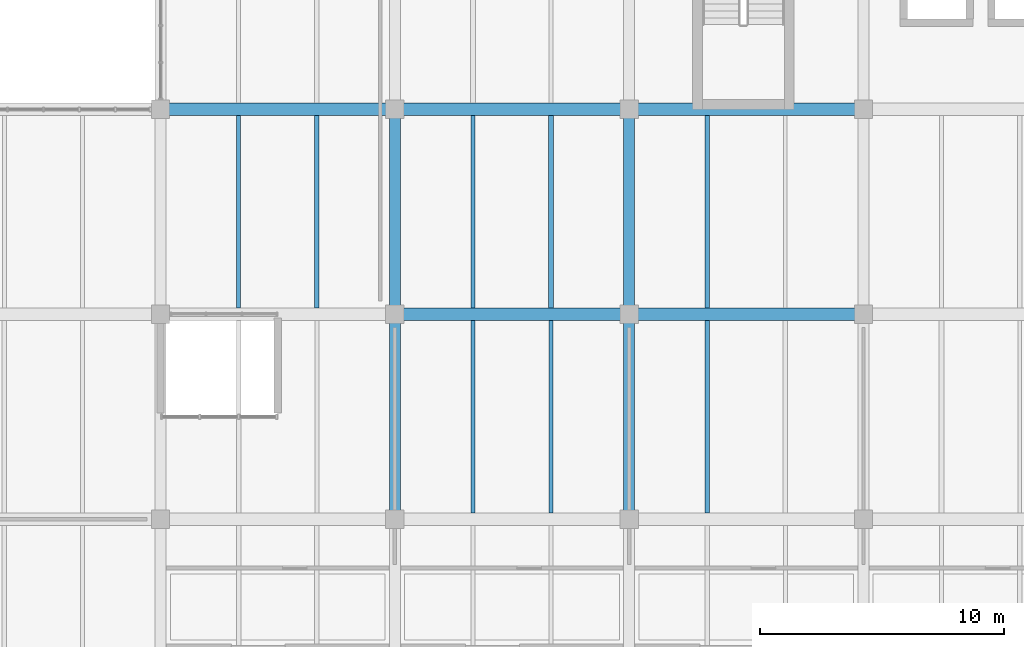
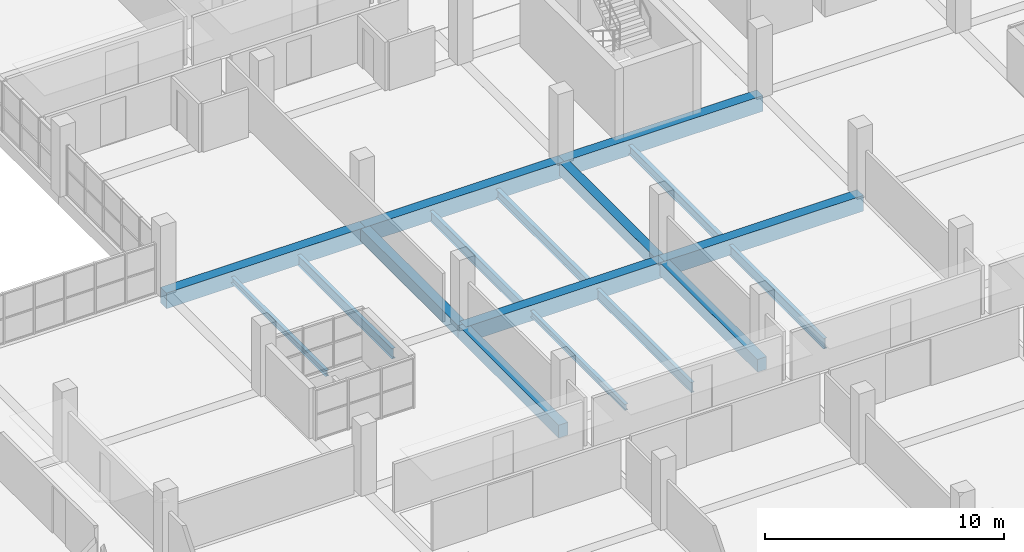
# One storey, part 77 of 147: 17 beams.
"""IFC4 building model written with IfcOpenShell, lengths in metres."""

from ifc_helpers import new_model, si_unit, direction, frame, origin, origin_2d, place, context, subcontext, project, spatial, rectangle, i_section, extrude, material, material_profile, profile_set, type_object, element, save


model = new_model("IFC4")

# Units and contexts
model_context = context("Model", 3, precision=1e-05, world=origin(), true_north=direction((0.0, 1.0)))
body_context = subcontext(model_context, "Body", "Model", "MODEL_VIEW")
ifc_project = project(units=[si_unit("LENGTHUNIT", "METRE"), si_unit("AREAUNIT", "SQUARE_METRE"), si_unit("VOLUMEUNIT", "CUBIC_METRE"), si_unit("PLANEANGLEUNIT", "RADIAN"), si_unit("MASSUNIT", "GRAM", prefix="KILO")], contexts=[model_context])

# Site, building, storey
site_placement = place(None, origin())
site = spatial("IfcSite", under=ifc_project, at=site_placement, CompositionType="ELEMENT")
building_placement = place(site_placement, origin())
building = spatial("IfcBuilding", under=site, at=building_placement, Name="Oolite Switchyard Hospital", CompositionType="ELEMENT")
storey_placement = place(building_placement, frame((0.0, 0.0, 9.89990234375)))
storey = spatial("IfcBuildingStorey", under=building, at=storey_placement, Name="L02", CompositionType="ELEMENT", Elevation=9.89990234375)

# Beams
ifc_material_1 = material(Name="Concrete C40/50", Category="concrete")
ifc_material_profile_1 = material_profile(ifc_material_1, rectangle(XDim=0.449951171875, YDim=0.64990234375, at=origin_2d()), Name="RCB450X650")
ifc_profile_set_1 = profile_set([ifc_material_profile_1], Name="Concrete C40/50")
beam_type_1 = type_object("IfcBeamType", Name="BM-RC450X650", PredefinedType="BEAM", material=ifc_profile_set_1)
beam_1_placement = place(storey_placement, frame((144.0, 92.39990234375, -0.324951171875), z_axis=(0.0, 1.0, 0.0), x_axis=(-1.0, 0.0, 0.0)))
element("IfcBeam", 1, at=beam_1_placement, inside=storey, type_object=beam_type_1, Name="L02 Y-Girder 1424", PredefinedType="BEAM", context=body_context, shape_type="SweptSolid", body=[
    extrude(rectangle(XDim=0.449951171875, YDim=0.64990234375, at=origin_2d()), origin(), (0.0, 0.0, 1.0), 8.400146484375),
])
beam_2_placement = place(storey_placement, frame((144.0, 100.800048828125, -0.324951171875), z_axis=(0.0, 1.0, 0.0), x_axis=(-1.0, 0.0, 0.0)))
element("IfcBeam", 2, at=beam_2_placement, inside=storey, type_object=beam_type_1, Name="L02 Y-Girder 1425", PredefinedType="BEAM", context=body_context, shape_type="SweptSolid", body=[
    extrude(rectangle(XDim=0.449951171875, YDim=0.64990234375, at=origin_2d()), origin(), (0.0, 0.0, 1.0), 8.39990234375),
])
beam_3_placement = place(storey_placement, frame((153.60009765625, 92.39990234375, -0.324951171875), z_axis=(0.0, 1.0, 0.0), x_axis=(-1.0, 0.0, 0.0)))
element("IfcBeam", 3, at=beam_3_placement, inside=storey, type_object=beam_type_1, Name="L02 Y-Girder 1437", PredefinedType="BEAM", context=body_context, shape_type="SweptSolid", body=[
    extrude(rectangle(XDim=0.449951171875, YDim=0.64990234375, at=origin_2d()), origin(), (0.0, 0.0, 1.0), 8.400146484375),
])
beam_4_placement = place(storey_placement, frame((153.60009765625, 100.800048828125, -0.324951171875), z_axis=(0.0, 1.0, 0.0), x_axis=(-1.0, 0.0, 0.0)))
element("IfcBeam", 4, at=beam_4_placement, inside=storey, type_object=beam_type_1, Name="L02 Y-Girder 1438", PredefinedType="BEAM", context=body_context, shape_type="SweptSolid", body=[
    extrude(rectangle(XDim=0.449951171875, YDim=0.64990234375, at=origin_2d()), origin(), (0.0, 0.0, 1.0), 8.39990234375),
])
ifc_material_profile_2 = material_profile(ifc_material_1, rectangle(XDim=0.5, YDim=0.800048828125, at=origin_2d()), Name="RCB500X800")
ifc_profile_set_2 = profile_set([ifc_material_profile_2], Name="Concrete C40/50")
beam_type_2 = type_object("IfcBeamType", Name="BM-RC500X800", PredefinedType="BEAM", material=ifc_profile_set_2)
beam_5_placement = place(storey_placement, frame((144.0, 100.800048828125, -0.39990234375), z_axis=(1.0, 0.0, 0.0), x_axis=(0.0, 1.0, 0.0)))
element("IfcBeam", 5, at=beam_5_placement, inside=storey, type_object=beam_type_2, Name="L02 X-Girder 1175", PredefinedType="BEAM", context=body_context, shape_type="SweptSolid", body=[
    extrude(rectangle(XDim=0.5, YDim=0.800048828125, at=origin_2d()), origin(), (0.0, 0.0, 1.0), 9.60009765625),
])
beam_6_placement = place(storey_placement, frame((153.60009765625, 100.800048828125, -0.39990234375), z_axis=(1.0, 0.0, 0.0), x_axis=(0.0, 1.0, 0.0)))
element("IfcBeam", 6, at=beam_6_placement, inside=storey, type_object=beam_type_2, Name="L02 X-Girder 1176", PredefinedType="BEAM", context=body_context, shape_type="SweptSolid", body=[
    extrude(rectangle(XDim=0.5, YDim=0.800048828125, at=origin_2d()), origin(), (0.0, 0.0, 1.0), 9.599853515625),
])
for number, where, z_axis, x_axis, name in (
    (7, (134.39990234375, 109.199951171875, -0.39990234375), (1.0, 0.0, 0.0), (0.0, 1.0, 0.0), "L02 X-Girder 1195"),
    (8, (144.0, 109.199951171875, -0.39990234375), (1.0, 0.0, 0.0), (0.0, 1.0, 0.0), "L02 X-Girder 1196"),
):
    element("IfcBeam", number, at=place(storey_placement, frame(where, z_axis=z_axis, x_axis=x_axis)), inside=storey, type_object=beam_type_2, Name=name, PredefinedType="BEAM", context=body_context, shape_type="SweptSolid", body=[
        extrude(rectangle(XDim=0.5, YDim=0.800048828125, at=origin_2d()), origin(), (0.0, 0.0, 1.0), 9.60009765625),
    ])
beam_7_placement = place(storey_placement, frame((153.60009765625, 109.199951171875, -0.39990234375), z_axis=(1.0, 0.0, 0.0), x_axis=(0.0, 1.0, 0.0)))
element("IfcBeam", 9, at=beam_7_placement, inside=storey, type_object=beam_type_2, Name="L02 X-Girder 1197", PredefinedType="BEAM", context=body_context, shape_type="SweptSolid", body=[
    extrude(rectangle(XDim=0.5, YDim=0.800048828125, at=origin_2d()), origin(), (0.0, 0.0, 1.0), 9.599853515625),
])
ifc_material_2 = material(Name="Steel ASTM A992 Grade 50", Category="steel")
ifc_material_profile_3 = material_profile(ifc_material_2, i_section(OverallWidth=0.1650390625, OverallDepth=0.31005859375, WebThickness=0.006103515625, FlangeThickness=0.010009765625, at=origin_2d()), Name="W12X26")
ifc_profile_set_3 = profile_set([ifc_material_profile_3], Name="Steel ASTM A992 Grade 50")
beam_type_3 = type_object("IfcBeamType", Name="BM-W12X26", PredefinedType="JOIST", material=ifc_profile_set_3)
beam_8_placement = place(storey_placement, frame((137.60009765625, 101.050048828125, -0.414794921875), z_axis=(0.0, 1.0, 0.0), x_axis=(-1.0, 0.0, 0.0)))
element("IfcBeam", 10, at=beam_8_placement, inside=storey, type_object=beam_type_3, Name="L02 Secondary Steel Joist 1784", PredefinedType="JOIST", context=body_context, shape_type="SweptSolid", body=[
    extrude(i_section(OverallWidth=0.1650390625, OverallDepth=0.31005859375, WebThickness=0.006103515625, FlangeThickness=0.010009765625, at=origin_2d()), origin(), (0.0, 0.0, 1.0), 7.89990234375),
])
beam_9_placement = place(storey_placement, frame((147.199951171875, 92.64990234375, -0.414794921875), z_axis=(0.0, 1.0, 0.0), x_axis=(-1.0, 0.0, 0.0)))
element("IfcBeam", 11, at=beam_9_placement, inside=storey, type_object=beam_type_3, Name="L02 Secondary Steel Joist 1802", PredefinedType="JOIST", context=body_context, shape_type="SweptSolid", body=[
    extrude(i_section(OverallWidth=0.1650390625, OverallDepth=0.31005859375, WebThickness=0.006103515625, FlangeThickness=0.010009765625, at=origin_2d()), origin(), (0.0, 0.0, 1.0), 7.900146484375),
])
ifc_material_profile_4 = material_profile(ifc_material_2, i_section(OverallWidth=0.19091796875, OverallDepth=0.4599609375, WebThickness=0.010009765625, FlangeThickness=0.01611328125, at=origin_2d()), Name="W18X55")
ifc_profile_set_4 = profile_set([ifc_material_profile_4], Name="Steel ASTM A992 Grade 50")
beam_type_4 = type_object("IfcBeamType", Name="BM-W18X55", PredefinedType="JOIST", material=ifc_profile_set_4)
for number, where, z_axis, x_axis, name in (
    (12, (150.39990234375, 101.050048828125, -0.489990234375), (0.0, 1.0, 0.0), (-1.0, 0.0, 0.0), "L02 Secondary Steel Joist 1805"),
    (13, (156.800048828125, 101.050048828125, -0.489990234375), (0.0, 1.0, 0.0), (-1.0, 0.0, 0.0), "L02 Secondary Steel Joist 1826"),
):
    element("IfcBeam", number, at=place(storey_placement, frame(where, z_axis=z_axis, x_axis=x_axis)), inside=storey, type_object=beam_type_4, Name=name, PredefinedType="JOIST", context=body_context, shape_type="SweptSolid", body=[
        extrude(i_section(OverallWidth=0.19091796875, OverallDepth=0.4599609375, WebThickness=0.010009765625, FlangeThickness=0.01611328125, at=origin_2d()), origin(), (0.0, 0.0, 1.0), 7.89990234375),
    ])
ifc_material_profile_5 = material_profile(ifc_material_2, i_section(OverallWidth=0.166015625, OverallDepth=0.529052734375, WebThickness=0.010009765625, FlangeThickness=0.013916015625, at=origin_2d()), Name="W21X50")
ifc_profile_set_5 = profile_set([ifc_material_profile_5], Name="Steel ASTM A992 Grade 50")
beam_type_5 = type_object("IfcBeamType", Name="BM-W21X50", PredefinedType="JOIST", material=ifc_profile_set_5)
beam_10_placement = place(storey_placement, frame((140.800048828125, 101.050048828125, -0.52392578125), z_axis=(0.0, 1.0, 0.0), x_axis=(-1.0, 0.0, 0.0)))
element("IfcBeam", 14, at=beam_10_placement, inside=storey, type_object=beam_type_5, Name="L02 Secondary Steel Joist 1785", PredefinedType="JOIST", context=body_context, shape_type="SweptSolid", body=[
    extrude(i_section(OverallWidth=0.166015625, OverallDepth=0.529052734375, WebThickness=0.010009765625, FlangeThickness=0.013916015625, at=origin_2d()), origin(), (0.0, 0.0, 1.0), 7.89990234375),
])
beam_11_placement = place(storey_placement, frame((150.39990234375, 92.64990234375, -0.52392578125), z_axis=(0.0, 1.0, 0.0), x_axis=(-1.0, 0.0, 0.0)))
element("IfcBeam", 15, at=beam_11_placement, inside=storey, type_object=beam_type_5, Name="L02 Secondary Steel Joist 1803", PredefinedType="JOIST", context=body_context, shape_type="SweptSolid", body=[
    extrude(i_section(OverallWidth=0.166015625, OverallDepth=0.529052734375, WebThickness=0.010009765625, FlangeThickness=0.013916015625, at=origin_2d()), origin(), (0.0, 0.0, 1.0), 7.900146484375),
])
beam_12_placement = place(storey_placement, frame((147.199951171875, 101.050048828125, -0.52392578125), z_axis=(0.0, 1.0, 0.0), x_axis=(-1.0, 0.0, 0.0)))
element("IfcBeam", 16, at=beam_12_placement, inside=storey, type_object=beam_type_5, Name="L02 Secondary Steel Joist 1804", PredefinedType="JOIST", context=body_context, shape_type="SweptSolid", body=[
    extrude(i_section(OverallWidth=0.166015625, OverallDepth=0.529052734375, WebThickness=0.010009765625, FlangeThickness=0.013916015625, at=origin_2d()), origin(), (0.0, 0.0, 1.0), 7.89990234375),
])
beam_13_placement = place(storey_placement, frame((156.800048828125, 92.64990234375, -0.52392578125), z_axis=(0.0, 1.0, 0.0), x_axis=(-1.0, 0.0, 0.0)))
element("IfcBeam", 17, at=beam_13_placement, inside=storey, type_object=beam_type_5, Name="L02 Secondary Steel Joist 1824", PredefinedType="JOIST", context=body_context, shape_type="SweptSolid", body=[
    extrude(i_section(OverallWidth=0.166015625, OverallDepth=0.529052734375, WebThickness=0.010009765625, FlangeThickness=0.013916015625, at=origin_2d()), origin(), (0.0, 0.0, 1.0), 7.900146484375),
])

save(model, "model.ifc")
